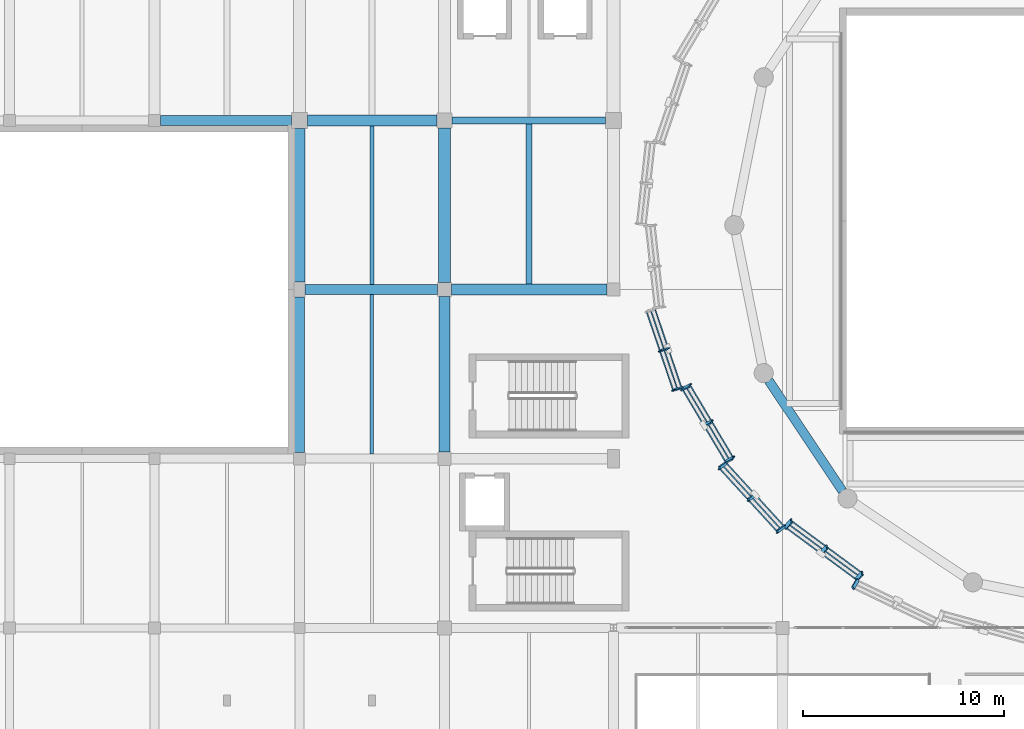
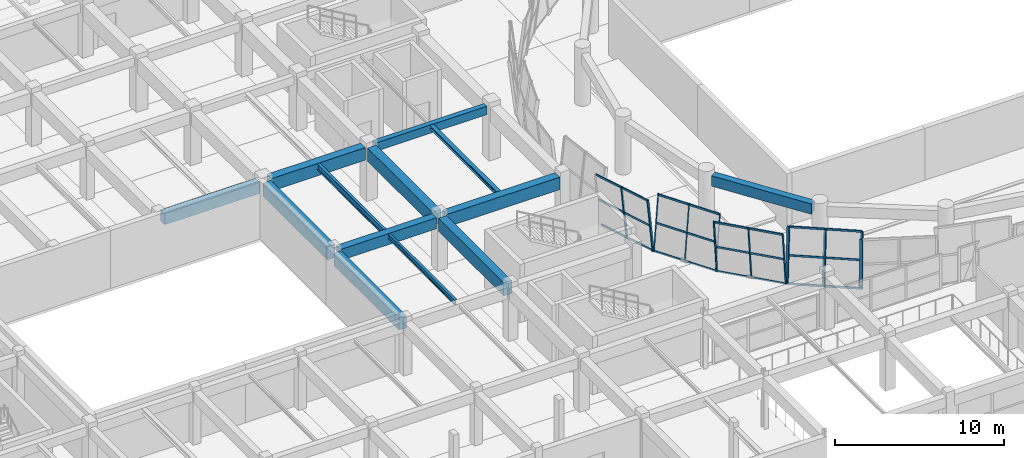
# One storey, part 14 of 71: 36 members, 13 beams, 5 elements without a shape of their own.
"""IFC4 building model written with IfcOpenShell, lengths in metres."""

from ifc_helpers import new_model, si_unit, direction, frame, origin, origin_2d, place, context, subcontext, project, spatial, rectangle, hollow_rectangle, i_section, extrude, material, material_profile, profile_set, type_object, element, aggregate, save


model = new_model("IFC4")

# Units and contexts
model_context = context("Model", 3, precision=1e-05, world=origin(), true_north=direction((0.0, 1.0)))
body_context = subcontext(model_context, "Body", "Model", "MODEL_VIEW")
ifc_project = project(units=[si_unit("LENGTHUNIT", "METRE"), si_unit("AREAUNIT", "SQUARE_METRE"), si_unit("VOLUMEUNIT", "CUBIC_METRE"), si_unit("PLANEANGLEUNIT", "RADIAN"), si_unit("MASSUNIT", "GRAM", prefix="KILO")], contexts=[model_context])

# Site, building, storey
site_placement = place(None, origin())
site = spatial("IfcSite", under=ifc_project, at=site_placement, CompositionType="ELEMENT")
building_placement = place(site_placement, origin())
building = spatial("IfcBuilding", under=site, at=building_placement, Name="Korsvaeld Concert Hall", CompositionType="ELEMENT")
storey_placement = place(building_placement, frame((0.0, 0.0, 4.800048828125)))
storey = spatial("IfcBuildingStorey", under=building, at=storey_placement, Name="L01", CompositionType="ELEMENT", Elevation=4.800048828125)

# Beams
ifc_material_1 = material(Name="Concrete C35/45", Category="concrete")
ifc_material_profile_1 = material_profile(ifc_material_1, rectangle(XDim=0.35009765625, YDim=0.60009765625, at=origin_2d()), Name="RC 350x600")
ifc_profile_set_1 = profile_set([ifc_material_profile_1], Name="Concrete C35/45")
beam_type_1 = type_object("IfcBeamType", Name="BM-RC-350x600", PredefinedType="T_BEAM", material=ifc_profile_set_1)
beam_1_placement = place(storey_placement, frame((50.77490234375, 68.39990234375, 3.5400390625), z_axis=(1.0, 0.0, 0.0), x_axis=(0.0, 1.0, 0.0)))
element("IfcBeam", 1, at=beam_1_placement, inside=storey, type_object=beam_type_1, Name="Primary girder 8-9/K L01", PredefinedType="T_BEAM", context=body_context, shape_type="SweptSolid", body=[
    extrude(rectangle(XDim=0.35009765625, YDim=0.60009765625, at=origin_2d()), origin(), (0.0, 0.0, 1.0), 7.625),
])
ifc_material_profile_2 = material_profile(ifc_material_1, rectangle(XDim=0.449951171875, YDim=0.75, at=origin_2d()), Name="RC 450x750")
ifc_profile_set_2 = profile_set([ifc_material_profile_2], Name="Concrete C35/45")
beam_type_2 = type_object("IfcBeamType", Name="BM-RC-450x750", PredefinedType="T_BEAM", material=ifc_profile_set_2)
beam_2_placement = place(storey_placement, frame((66.511474609375, 55.478271484375, 3.46484375), z_axis=(0.555588821765, -0.831457191399, 0.0), x_axis=(0.831457191399, 0.555588821765, 0.0)))
element("IfcBeam", 2, at=beam_2_placement, inside=storey, type_object=beam_type_2, Name="Drum ring floor girder L01 10", PredefinedType="T_BEAM", context=body_context, shape_type="SweptSolid", body=[
    extrude(rectangle(XDim=0.449951171875, YDim=0.75, at=origin_2d()), origin(), (0.0, 0.0, 1.0), 6.59130859375),
])
ifc_material_2 = material(Name="Concrete C40/50", Category="concrete")
ifc_material_profile_3 = material_profile(ifc_material_2, rectangle(XDim=0.5, YDim=0.800048828125, at=origin_2d()), Name="RC 500x800")
ifc_profile_set_3 = profile_set([ifc_material_profile_3], Name="Concrete C40/50")
beam_type_3 = type_object("IfcBeamType", Name="BM-RC-500x800", PredefinedType="T_BEAM", material=ifc_profile_set_3)
beam_3_placement = place(storey_placement, frame((43.47509765625, 60.0, 3.43994140625), z_axis=(1.0, 0.0, 0.0), x_axis=(0.0, 1.0, 0.0)))
element("IfcBeam", 3, at=beam_3_placement, inside=storey, type_object=beam_type_3, Name="Primary girder 7-8/J L01", PredefinedType="T_BEAM", context=body_context, shape_type="SweptSolid", body=[
    extrude(rectangle(XDim=0.5, YDim=0.800048828125, at=origin_2d()), origin(), (0.0, 0.0, 1.0), 6.574951171875),
])
beam_4_placement = place(storey_placement, frame((36.300048828125, 68.39990234375, 3.43994140625), z_axis=(1.0, 0.0, 0.0), x_axis=(0.0, 1.0, 0.0)))
element("IfcBeam", 4, at=beam_4_placement, inside=storey, type_object=beam_type_3, Name="Primary girder 6-7/K L01", PredefinedType="T_BEAM", context=body_context, shape_type="SweptSolid", body=[
    extrude(rectangle(XDim=0.5, YDim=0.800048828125, at=origin_2d()), origin(), (0.0, 0.0, 1.0), 6.5),
])
ifc_material_profile_4 = material_profile(ifc_material_2, rectangle(XDim=0.5, YDim=0.89990234375, at=origin_2d()), Name="RC 500x900")
ifc_profile_set_4 = profile_set([ifc_material_profile_4], Name="Concrete C40/50")
beam_type_4 = type_object("IfcBeamType", Name="BM-RC-500x900", PredefinedType="T_BEAM", material=ifc_profile_set_4)
beam_5_placement = place(storey_placement, frame((43.199951171875, 51.89990234375, 3.389892578125), z_axis=(0.0, 1.0, 0.0), x_axis=(-1.0, 0.0, 0.0)))
element("IfcBeam", 5, at=beam_5_placement, inside=storey, type_object=beam_type_4, Name="Primary girder 7/H-J L01", PredefinedType="T_BEAM", context=body_context, shape_type="SweptSolid", body=[
    extrude(rectangle(XDim=0.5, YDim=0.89990234375, at=origin_2d()), origin(), (0.0, 0.0, 1.0), 7.72509765625),
])
ifc_material_profile_5 = material_profile(ifc_material_2, rectangle(XDim=0.550048828125, YDim=0.89990234375, at=origin_2d()), Name="RC 550x900")
ifc_profile_set_5 = profile_set([ifc_material_profile_5], Name="Concrete C40/50")
beam_type_5 = type_object("IfcBeamType", Name="BM-RC-550x900", PredefinedType="T_BEAM", material=ifc_profile_set_5)
beam_6_placement = place(storey_placement, frame((50.75, 60.0, 3.389892578125), z_axis=(1.0, 0.0, 0.0), x_axis=(0.0, 1.0, 0.0)))
element("IfcBeam", 6, at=beam_6_placement, inside=storey, type_object=beam_type_5, Name="Primary girder 8-9/J L01", PredefinedType="T_BEAM", context=body_context, shape_type="SweptSolid", body=[
    extrude(rectangle(XDim=0.550048828125, YDim=0.89990234375, at=origin_2d()), origin(), (0.0, 0.0, 1.0), 7.72509765625),
])
beam_7_placement = place(storey_placement, frame((43.60009765625, 68.39990234375, 3.389892578125), z_axis=(1.0, 0.0, 0.0), x_axis=(0.0, 1.0, 0.0)))
element("IfcBeam", 7, at=beam_7_placement, inside=storey, type_object=beam_type_5, Name="Primary girder 7-8/K L01", PredefinedType="T_BEAM", context=body_context, shape_type="SweptSolid", body=[
    extrude(rectangle(XDim=0.550048828125, YDim=0.89990234375, at=origin_2d()), origin(), (0.0, 0.0, 1.0), 6.4248046875),
])
ifc_material_profile_6 = material_profile(ifc_material_2, rectangle(XDim=0.550048828125, YDim=0.949951171875, at=origin_2d()), Name="RC 550x950")
ifc_profile_set_6 = profile_set([ifc_material_profile_6], Name="Concrete C40/50")
beam_type_6 = type_object("IfcBeamType", Name="BM-RC-550x950", PredefinedType="T_BEAM", material=ifc_profile_set_6)
beam_8_placement = place(storey_placement, frame((43.199951171875, 60.375, 3.364990234375), z_axis=(0.0, 1.0, 0.0), x_axis=(-1.0, 0.0, 0.0)))
element("IfcBeam", 8, at=beam_8_placement, inside=storey, type_object=beam_type_6, Name="Primary girder 7/J-K L01", PredefinedType="T_BEAM", context=body_context, shape_type="SweptSolid", body=[
    extrude(rectangle(XDim=0.550048828125, YDim=0.949951171875, at=origin_2d()), origin(), (0.0, 0.0, 1.0), 7.625),
])
beam_9_placement = place(storey_placement, frame((50.39990234375, 51.925048828125, 3.364990234375), z_axis=(0.0, 1.0, 0.0), x_axis=(-1.0, 0.0, 0.0)))
element("IfcBeam", 9, at=beam_9_placement, inside=storey, type_object=beam_type_6, Name="Primary girder 8/H-J L01", PredefinedType="T_BEAM", context=body_context, shape_type="SweptSolid", body=[
    extrude(rectangle(XDim=0.550048828125, YDim=0.949951171875, at=origin_2d()), origin(), (0.0, 0.0, 1.0), 7.724853515625),
])
ifc_material_profile_7 = material_profile(ifc_material_2, rectangle(XDim=0.60009765625, YDim=0.949951171875, at=origin_2d()), Name="RC 600x950")
ifc_profile_set_7 = profile_set([ifc_material_profile_7], Name="Concrete C40/50")
beam_type_7 = type_object("IfcBeamType", Name="BM-RC-600x950", PredefinedType="T_BEAM", material=ifc_profile_set_7)
beam_10_placement = place(storey_placement, frame((50.39990234375, 60.35009765625, 3.364990234375), z_axis=(0.0, 1.0, 0.0), x_axis=(-1.0, 0.0, 0.0)))
element("IfcBeam", 10, at=beam_10_placement, inside=storey, type_object=beam_type_7, Name="Primary girder 8/J-K L01", PredefinedType="T_BEAM", context=body_context, shape_type="SweptSolid", body=[
    extrude(rectangle(XDim=0.60009765625, YDim=0.949951171875, at=origin_2d()), origin(), (0.0, 0.0, 1.0), 7.6748046875),
])
ifc_material_3 = material(Name="Steel S355J2", Category="steel")
ifc_material_profile_8 = material_profile(ifc_material_3, i_section(OverallWidth=0.280029296875, OverallDepth=0.27001953125, WebThickness=0.008056640625, FlangeThickness=0.012939453125, FilletRadius=0.02392578125, at=origin_2d()), Name="HEA 280")
ifc_profile_set_8 = profile_set([ifc_material_profile_8], Name="Steel S355J2")
beam_type_8 = type_object("IfcBeamType", Name="BM-STL-HEA280", PredefinedType="BEAM", material=ifc_profile_set_8)
beam_11_placement = place(storey_placement, frame((54.60009765625, 60.27490234375, 3.704833984375), z_axis=(0.0, 1.0, 0.0), x_axis=(-1.0, 0.0, 0.0)))
element("IfcBeam", 11, at=beam_11_placement, inside=storey, type_object=beam_type_8, Name="Secondary steel floor beam 8-9/J L01", PredefinedType="BEAM", context=body_context, shape_type="SweptSolid", body=[
    extrude(i_section(OverallWidth=0.280029296875, OverallDepth=0.27001953125, WebThickness=0.008056640625, FlangeThickness=0.012939453125, FilletRadius=0.02392578125, at=origin_2d()), origin(), (0.0, 0.0, 1.0), 7.9501953125),
])
ifc_material_profile_9 = material_profile(ifc_material_3, i_section(OverallWidth=0.169921875, OverallDepth=0.360107421875, WebThickness=0.008056640625, FlangeThickness=0.0126953125, FilletRadius=0.01806640625, at=origin_2d()), Name="IPE 360")
ifc_profile_set_9 = profile_set([ifc_material_profile_9], Name="Steel S355J2")
beam_type_9 = type_object("IfcBeamType", Name="BM-STL-IPE360", PredefinedType="BEAM", material=ifc_profile_set_9)
beam_12_placement = place(storey_placement, frame((46.800048828125, 51.824951171875, 3.659912109375), z_axis=(0.0, 1.0, 0.0), x_axis=(-1.0, 0.0, 0.0)))
element("IfcBeam", 12, at=beam_12_placement, inside=storey, type_object=beam_type_9, Name="Secondary steel floor beam 7-8/H L01", PredefinedType="BEAM", context=body_context, shape_type="SweptSolid", body=[
    extrude(i_section(OverallWidth=0.169921875, OverallDepth=0.360107421875, WebThickness=0.008056640625, FlangeThickness=0.0126953125, FilletRadius=0.01806640625, at=origin_2d()), origin(), (0.0, 0.0, 1.0), 7.925048828125),
])
ifc_material_profile_10 = material_profile(ifc_material_3, i_section(OverallWidth=0.18994140625, OverallDepth=0.449951171875, WebThickness=0.009521484375, FlangeThickness=0.0146484375, FilletRadius=0.02099609375, at=origin_2d()), Name="IPE 450")
ifc_profile_set_10 = profile_set([ifc_material_profile_10], Name="Steel S355J2")
beam_type_10 = type_object("IfcBeamType", Name="BM-STL-IPE450", PredefinedType="BEAM", material=ifc_profile_set_10)
beam_13_placement = place(storey_placement, frame((46.800048828125, 60.25, 3.614990234375), z_axis=(0.0, 1.0, 0.0), x_axis=(-1.0, 0.0, 0.0)))
element("IfcBeam", 13, at=beam_13_placement, inside=storey, type_object=beam_type_10, Name="Secondary steel floor beam 7-8/J L01", PredefinedType="BEAM", context=body_context, shape_type="SweptSolid", body=[
    extrude(i_section(OverallWidth=0.18994140625, OverallDepth=0.449951171875, WebThickness=0.009521484375, FlangeThickness=0.0146484375, FilletRadius=0.02099609375, at=origin_2d()), origin(), (0.0, 0.0, 1.0), 7.875),
])

# Curtain wall, members
ifc_material_4 = material(Name="Anodised bronze and ceramic-fritted safety glass", Category="glass")
curtain_wall_type_1 = type_object("IfcCurtainWallType", Name="CW-TYPE-02", PredefinedType="USERDEFINED", material=ifc_material_4)
curtain_wall_1_placement = place(storey_placement, origin())
curtain_wall_1 = element("IfcCurtainWall", 14, at=curtain_wall_1_placement, inside=storey, type_object=curtain_wall_type_1, Name="Crystal curtain-wall facet L01 F18", ObjectType="CURTAIN WALL", PredefinedType="USERDEFINED")
ifc_material_5 = material(Name="Anodised architectural bronze aluminium", Category="aluminium")
ifc_material_profile_11 = material_profile(ifc_material_5, hollow_rectangle(XDim=0.074951171875, YDim=0.179931640625, WallThickness=0.0048828125, at=origin_2d()), Name="CWM 180x75x5")
ifc_profile_set_11 = profile_set([ifc_material_profile_11], Name="Anodised architectural bronze aluminium")
member_type_1 = type_object("IfcMemberType", Name="CWM-BRONZE-180x75", PredefinedType="MULLION", material=ifc_profile_set_11)
member_1_placement = place(storey_placement, frame((61.52490234375, 57.07568359375, 0.0), z_axis=(-0.109222864708, -0.029759635719, 0.993571703455), x_axis=(0.555751470455, -0.830559253027, 0.036216436851)))
member_1 = element("IfcMember", 15, at=member_1_placement, type_object=member_type_1, Name="CW-CRYS-L01-F18 crystal mullion 2", PredefinedType="MULLION", context=body_context, shape_type="SweptSolid", body=[
    extrude(hollow_rectangle(XDim=0.074951171875, YDim=0.179931640625, WallThickness=0.0048828125, at=origin_2d()), origin(), (0.0, 0.0, 1.0), 3.905029296875),
])
member_2_placement = place(storey_placement, frame((62.184326171875, 55.12255859375, 0.0), z_axis=(-0.109222864708, -0.029759635719, 0.993571703455), x_axis=(0.555751470455, -0.830559253027, 0.036216436851)))
member_2 = element("IfcMember", 16, at=member_2_placement, type_object=member_type_1, Name="CW-CRYS-L01-F18 crystal mullion 3", PredefinedType="MULLION", context=body_context, shape_type="SweptSolid", body=[
    extrude(hollow_rectangle(XDim=0.074951171875, YDim=0.179931640625, WallThickness=0.0048828125, at=origin_2d()), origin(), (0.0, 0.0, 1.0), 3.905029296875),
])

curtain_wall_type_2 = type_object("IfcCurtainWallType", Name="CW-TYPE-04", PredefinedType="USERDEFINED", material=ifc_material_4)
curtain_wall_2_placement = place(storey_placement, origin())
curtain_wall_2 = element("IfcCurtainWall", 17, at=curtain_wall_2_placement, inside=storey, type_object=curtain_wall_type_2, Name="Crystal curtain-wall facet L01 F20", ObjectType="CURTAIN WALL", PredefinedType="USERDEFINED")
member_3_placement = place(storey_placement, frame((64.402587890625, 51.394287109375, 0.0), z_axis=(-0.091092013968, -0.06720927592, 0.993571918998), x_axis=(0.977585029152, -0.196207994795, 0.076354001577)))
member_3 = element("IfcMember", 18, at=member_3_placement, type_object=member_type_1, Name="CW-CRYS-L01-F20 crystal mullion 1", PredefinedType="MULLION", context=body_context, shape_type="SweptSolid", body=[
    extrude(hollow_rectangle(XDim=0.074951171875, YDim=0.179931640625, WallThickness=0.0048828125, at=origin_2d()), origin(), (0.0, 0.0, 1.0), 3.905029296875),
])
member_4_placement = place(storey_placement, frame((65.8447265625, 49.815673828125, 0.0), z_axis=(-0.091092013968, -0.06720927592, 0.993571918998), x_axis=(0.977585029152, -0.196207994795, 0.076354001577)))
member_4 = element("IfcMember", 19, at=member_4_placement, type_object=member_type_1, Name="CW-CRYS-L01-F20 crystal mullion 2", PredefinedType="MULLION", context=body_context, shape_type="SweptSolid", body=[
    extrude(hollow_rectangle(XDim=0.074951171875, YDim=0.179931640625, WallThickness=0.0048828125, at=origin_2d()), origin(), (0.0, 0.0, 1.0), 3.905029296875),
])
member_5_placement = place(storey_placement, frame((67.287109375, 48.237060546875, 0.0), z_axis=(-0.091154014917, -0.067208893029, 0.993566258617), x_axis=(0.977517596414, -0.196530654202, 0.076387503291)))
member_5 = element("IfcMember", 20, at=member_5_placement, type_object=member_type_1, Name="CW-CRYS-L01-F20 crystal mullion 3", PredefinedType="MULLION", context=body_context, shape_type="SweptSolid", body=[
    extrude(hollow_rectangle(XDim=0.074951171875, YDim=0.179931640625, WallThickness=0.0048828125, at=origin_2d()), origin(), (0.0, 0.0, 1.0), 3.905029296875),
])

# Curtain wall, member
curtain_wall_type_3 = type_object("IfcCurtainWallType", Name="CW-TYPE-06", PredefinedType="USERDEFINED", material=ifc_material_4)
curtain_wall_3_placement = place(storey_placement, origin())
curtain_wall_3 = element("IfcCurtainWall", 21, at=curtain_wall_3_placement, inside=storey, type_object=curtain_wall_type_3, Name="Crystal curtain-wall facet L01 F22", ObjectType="CURTAIN WALL", PredefinedType="USERDEFINED")
member_6_placement = place(storey_placement, frame((70.92236328125, 45.556640625, 0.0), z_axis=(-0.057893742062, -0.097281493141, 0.993571651026), x_axis=(0.829999138773, 0.548349174532, 0.102052008437)))
member_6 = element("IfcMember", 22, at=member_6_placement, type_object=member_type_1, Name="CW-CRYS-L01-F22 crystal mullion 1", PredefinedType="MULLION", context=body_context, shape_type="SweptSolid", body=[
    extrude(hollow_rectangle(XDim=0.074951171875, YDim=0.179931640625, WallThickness=0.0048828125, at=origin_2d()), origin(), (0.0, 0.0, 1.0), 3.905029296875),
])
aggregate(curtain_wall_3, [member_6])

# Curtain wall, members
curtain_wall_type_4 = type_object("IfcCurtainWallType", Name="CW-TYPE-03", PredefinedType="USERDEFINED", material=ifc_material_4)
curtain_wall_4_placement = place(storey_placement, origin())
curtain_wall_4 = element("IfcCurtainWall", 23, at=curtain_wall_4_placement, inside=storey, type_object=curtain_wall_type_4, Name="Crystal curtain-wall facet L01 F19", ObjectType="CURTAIN WALL", PredefinedType="USERDEFINED")
ifc_material_profile_12 = material_profile(ifc_material_5, hollow_rectangle(XDim=0.074951171875, YDim=0.219970703125, WallThickness=0.006103515625, at=origin_2d()), Name="CWM 220x75x6")
ifc_profile_set_12 = profile_set([ifc_material_profile_12], Name="Anodised architectural bronze aluminium")
member_type_2 = type_object("IfcMemberType", Name="CWM-BRONZE-220x75", PredefinedType="MULLION", material=ifc_profile_set_12)
member_7_placement = place(storey_placement, frame((62.215576171875, 55.054931640625, 0.0), z_axis=(0.102033137454, 0.049015918973, 0.993572684079), x_axis=(-0.830085566012, 0.554623769939, 0.057882872395)))
member_7 = element("IfcMember", 24, at=member_7_placement, type_object=member_type_2, Name="CW-CRYS-L01-F19 crystal mullion 1", PredefinedType="MULLION", context=body_context, shape_type="SweptSolid", body=[
    extrude(hollow_rectangle(XDim=0.074951171875, YDim=0.219970703125, WallThickness=0.006103515625, at=origin_2d()), origin(), (0.0, 0.0, 1.0), 3.905029296875),
])
member_8_placement = place(storey_placement, frame((63.286865234375, 53.25439453125, 0.0), z_axis=(0.102033137454, 0.049015918973, 0.993572684079), x_axis=(-0.830085566012, 0.554623769939, 0.057882872395)))
member_8 = element("IfcMember", 25, at=member_8_placement, type_object=member_type_2, Name="CW-CRYS-L01-F19 crystal mullion 2", PredefinedType="MULLION", context=body_context, shape_type="SweptSolid", body=[
    extrude(hollow_rectangle(XDim=0.074951171875, YDim=0.219970703125, WallThickness=0.006103515625, at=origin_2d()), origin(), (0.0, 0.0, 1.0), 3.905029296875),
])
member_9_placement = place(storey_placement, frame((64.358154296875, 51.4541015625, 0.0), z_axis=(0.102033137454, 0.049015918973, 0.993572684079), x_axis=(-0.830085566012, 0.554623769939, 0.057882872395)))
member_9 = element("IfcMember", 26, at=member_9_placement, type_object=member_type_2, Name="CW-CRYS-L01-F19 crystal mullion 3", PredefinedType="MULLION", context=body_context, shape_type="SweptSolid", body=[
    extrude(hollow_rectangle(XDim=0.074951171875, YDim=0.219970703125, WallThickness=0.006103515625, at=origin_2d()), origin(), (0.0, 0.0, 1.0), 3.905029296875),
])

curtain_wall_type_5 = type_object("IfcCurtainWallType", Name="CW-TYPE-05", PredefinedType="USERDEFINED", material=ifc_material_4)
curtain_wall_5_placement = place(storey_placement, origin())
curtain_wall_5 = element("IfcCurtainWall", 27, at=curtain_wall_5_placement, inside=storey, type_object=curtain_wall_type_5, Name="Crystal curtain-wall facet L01 F21", ObjectType="CURTAIN WALL", PredefinedType="USERDEFINED")
member_10_placement = place(storey_placement, frame((67.342529296875, 48.18701171875, 0.0), z_axis=(0.076337242942, 0.083589593623, 0.993572043275), x_axis=(-0.97747454033, -0.190371504957, 0.091116480989)))
member_10 = element("IfcMember", 28, at=member_10_placement, type_object=member_type_2, Name="CW-CRYS-L01-F21 crystal mullion 1", PredefinedType="MULLION", context=body_context, shape_type="SweptSolid", body=[
    extrude(hollow_rectangle(XDim=0.074951171875, YDim=0.219970703125, WallThickness=0.006103515625, at=origin_2d()), origin(), (0.0, 0.0, 1.0), 3.905029296875),
])
member_11_placement = place(storey_placement, frame((69.100341796875, 46.89111328125, 0.0), z_axis=(0.076399398433, 0.083589194521, 0.993567299421), x_axis=(-0.977549491387, -0.189970185789, 0.091149988477)))
member_11 = element("IfcMember", 29, at=member_11_placement, type_object=member_type_2, Name="CW-CRYS-L01-F21 crystal mullion 2", PredefinedType="MULLION", context=body_context, shape_type="SweptSolid", body=[
    extrude(hollow_rectangle(XDim=0.074951171875, YDim=0.219970703125, WallThickness=0.006103515625, at=origin_2d()), origin(), (0.0, 0.0, 1.0), 3.905029296875),
])
member_12_placement = place(storey_placement, frame((70.8583984375, 45.594970703125, 0.0), z_axis=(0.076337242942, 0.083589593623, 0.993572043275), x_axis=(-0.97747454033, -0.190371504957, 0.091116480989)))
member_12 = element("IfcMember", 30, at=member_12_placement, type_object=member_type_2, Name="CW-CRYS-L01-F21 crystal mullion 3", PredefinedType="MULLION", context=body_context, shape_type="SweptSolid", body=[
    extrude(hollow_rectangle(XDim=0.074951171875, YDim=0.219970703125, WallThickness=0.006103515625, at=origin_2d()), origin(), (0.0, 0.0, 1.0), 3.905029296875),
])

# Member
ifc_material_profile_13 = material_profile(ifc_material_5, hollow_rectangle(XDim=0.06005859375, YDim=0.139892578125, WallThickness=0.00390625, at=origin_2d()), Name="CWT 140x60x4")
ifc_profile_set_13 = profile_set([ifc_material_profile_13], Name="Anodised architectural bronze aluminium")
member_type_3 = type_object("IfcMemberType", Name="CWT-BRONZE-140x60", PredefinedType="USERDEFINED", material=ifc_profile_set_13)
member_13_placement = place(storey_placement, frame((60.874267578125, 58.9921875, 0.030029296875), z_axis=(0.319949676143, -0.947434538497, 0.0), x_axis=(0.947434538497, 0.319949676143, 0.0)))
member_13 = element("IfcMember", 31, at=member_13_placement, type_object=member_type_3, Name="CW-CRYS-L01-F18 crystal transom 1.1", ObjectType="TRANSOM", PredefinedType="USERDEFINED", context=body_context, shape_type="SweptSolid", body=[
    extrude(hollow_rectangle(XDim=0.06005859375, YDim=0.139892578125, WallThickness=0.00390625, at=origin_2d()), origin(), (0.0, 0.0, 1.0), 1.986328125),
])

member_14_placement = place(storey_placement, frame((60.664306640625, 58.934814453125, 1.93994140625), z_axis=(0.319949676143, -0.947434538497, 0.0), x_axis=(0.947434538497, 0.319949676143, 0.0)))
member_14 = element("IfcMember", 32, at=member_14_placement, type_object=member_type_3, Name="CW-CRYS-L01-F18 crystal transom 1.2", ObjectType="TRANSOM", PredefinedType="USERDEFINED", context=body_context, shape_type="SweptSolid", body=[
    extrude(hollow_rectangle(XDim=0.06005859375, YDim=0.139892578125, WallThickness=0.00390625, at=origin_2d()), origin(), (0.0, 0.0, 1.0), 1.986328125),
])

member_15_placement = place(storey_placement, frame((60.454345703125, 58.877685546875, 3.849853515625), z_axis=(0.319949676143, -0.947434538497, 0.0), x_axis=(0.947434538497, 0.319949676143, 0.0)))
member_15 = element("IfcMember", 33, at=member_15_placement, type_object=member_type_3, Name="CW-CRYS-L01-F18 crystal transom 1.3", ObjectType="TRANSOM", PredefinedType="USERDEFINED", context=body_context, shape_type="SweptSolid", body=[
    extrude(hollow_rectangle(XDim=0.06005859375, YDim=0.139892578125, WallThickness=0.00390625, at=origin_2d()), origin(), (0.0, 0.0, 1.0), 1.986328125),
])

member_16_placement = place(storey_placement, frame((61.53369140625, 57.0390625, 0.030029296875), z_axis=(0.319949676143, -0.947434538497, 0.0), x_axis=(0.947434538497, 0.319949676143, 0.0)))
member_16 = element("IfcMember", 34, at=member_16_placement, type_object=member_type_3, Name="CW-CRYS-L01-F18 crystal transom 2.1", ObjectType="TRANSOM", PredefinedType="USERDEFINED", context=body_context, shape_type="SweptSolid", body=[
    extrude(hollow_rectangle(XDim=0.06005859375, YDim=0.139892578125, WallThickness=0.00390625, at=origin_2d()), origin(), (0.0, 0.0, 1.0), 1.986328125),
])

member_17_placement = place(storey_placement, frame((61.32373046875, 56.98193359375, 1.93994140625), z_axis=(0.319949676143, -0.947434538497, 0.0), x_axis=(0.947434538497, 0.319949676143, 0.0)))
member_17 = element("IfcMember", 35, at=member_17_placement, type_object=member_type_3, Name="CW-CRYS-L01-F18 crystal transom 2.2", ObjectType="TRANSOM", PredefinedType="USERDEFINED", context=body_context, shape_type="SweptSolid", body=[
    extrude(hollow_rectangle(XDim=0.06005859375, YDim=0.139892578125, WallThickness=0.00390625, at=origin_2d()), origin(), (0.0, 0.0, 1.0), 1.986328125),
])

member_18_placement = place(storey_placement, frame((61.11376953125, 56.9248046875, 3.849853515625), z_axis=(0.319912420616, -0.947447118912, 0.0), x_axis=(0.947447118912, 0.319912420616, 0.0)))
member_18 = element("IfcMember", 36, at=member_18_placement, type_object=member_type_3, Name="CW-CRYS-L01-F18 crystal transom 2.3", ObjectType="TRANSOM", PredefinedType="USERDEFINED", context=body_context, shape_type="SweptSolid", body=[
    extrude(hollow_rectangle(XDim=0.06005859375, YDim=0.139892578125, WallThickness=0.00390625, at=origin_2d()), origin(), (0.0, 0.0, 1.0), 1.986572265625),
])

aggregate(curtain_wall_1, [member_1, member_2, member_13, member_14, member_15, member_16, member_17, member_18])

member_19_placement = place(storey_placement, frame((62.23779296875, 55.024169921875, 0.030029296875), z_axis=(0.511381861684, -0.859353589357, 0.0), x_axis=(0.859353589357, 0.511381861684, 0.0)))
member_19 = element("IfcMember", 37, at=member_19_placement, type_object=member_type_3, Name="CW-CRYS-L01-F19 crystal transom 1.1", ObjectType="TRANSOM", PredefinedType="USERDEFINED", context=body_context, shape_type="SweptSolid", body=[
    extrude(hollow_rectangle(XDim=0.06005859375, YDim=0.139892578125, WallThickness=0.00390625, at=origin_2d()), origin(), (0.0, 0.0, 1.0), 2.02001953125),
])

member_20_placement = place(storey_placement, frame((62.43408203125, 55.118408203125, 1.93994140625), z_axis=(0.511328750939, -0.859385192136, 0.0), x_axis=(0.859385192136, 0.511328750939, 0.0)))
member_20 = element("IfcMember", 38, at=member_20_placement, type_object=member_type_3, Name="CW-CRYS-L01-F19 crystal transom 1.2", ObjectType="TRANSOM", PredefinedType="USERDEFINED", context=body_context, shape_type="SweptSolid", body=[
    extrude(hollow_rectangle(XDim=0.06005859375, YDim=0.139892578125, WallThickness=0.00390625, at=origin_2d()), origin(), (0.0, 0.0, 1.0), 2.020263671875),
])

member_21_placement = place(storey_placement, frame((62.630126953125, 55.21240234375, 3.849853515625), z_axis=(0.511381861684, -0.859353589357, 0.0), x_axis=(0.859353589357, 0.511381861684, 0.0)))
member_21 = element("IfcMember", 39, at=member_21_placement, type_object=member_type_3, Name="CW-CRYS-L01-F19 crystal transom 1.3", ObjectType="TRANSOM", PredefinedType="USERDEFINED", context=body_context, shape_type="SweptSolid", body=[
    extrude(hollow_rectangle(XDim=0.06005859375, YDim=0.139892578125, WallThickness=0.00390625, at=origin_2d()), origin(), (0.0, 0.0, 1.0), 2.02001953125),
])

member_22_placement = place(storey_placement, frame((63.30908203125, 53.2236328125, 0.030029296875), z_axis=(0.511381861684, -0.859353589357, 0.0), x_axis=(0.859353589357, 0.511381861684, 0.0)))
member_22 = element("IfcMember", 40, at=member_22_placement, type_object=member_type_3, Name="CW-CRYS-L01-F19 crystal transom 2.1", ObjectType="TRANSOM", PredefinedType="USERDEFINED", context=body_context, shape_type="SweptSolid", body=[
    extrude(hollow_rectangle(XDim=0.06005859375, YDim=0.139892578125, WallThickness=0.00390625, at=origin_2d()), origin(), (0.0, 0.0, 1.0), 2.02001953125),
])

member_23_placement = place(storey_placement, frame((63.50537109375, 53.31787109375, 1.93994140625), z_axis=(0.511292595627, -0.859406703288, 0.0), x_axis=(0.859406703288, 0.511292595627, 0.0)))
member_23 = element("IfcMember", 41, at=member_23_placement, type_object=member_type_3, Name="CW-CRYS-L01-F19 crystal transom 2.2", ObjectType="TRANSOM", PredefinedType="USERDEFINED", context=body_context, shape_type="SweptSolid", body=[
    extrude(hollow_rectangle(XDim=0.06005859375, YDim=0.139892578125, WallThickness=0.00390625, at=origin_2d()), origin(), (0.0, 0.0, 1.0), 2.019775390625),
])

member_24_placement = place(storey_placement, frame((63.701416015625, 53.412109375, 3.849853515625), z_axis=(0.511381861684, -0.859353589357, 0.0), x_axis=(0.859353589357, 0.511381861684, 0.0)))
member_24 = element("IfcMember", 42, at=member_24_placement, type_object=member_type_3, Name="CW-CRYS-L01-F19 crystal transom 2.3", ObjectType="TRANSOM", PredefinedType="USERDEFINED", context=body_context, shape_type="SweptSolid", body=[
    extrude(hollow_rectangle(XDim=0.06005859375, YDim=0.139892578125, WallThickness=0.00390625, at=origin_2d()), origin(), (0.0, 0.0, 1.0), 2.02001953125),
])

aggregate(curtain_wall_4, [member_7, member_8, member_9, member_19, member_20, member_21, member_22, member_23, member_24])

member_25_placement = place(storey_placement, frame((64.425048828125, 51.364501953125, 0.030029296875), z_axis=(0.674496604142, -0.738277949692, 0.0), x_axis=(0.738277949692, 0.674496604142, 0.0)))
member_25 = element("IfcMember", 43, at=member_25_placement, type_object=member_type_3, Name="CW-CRYS-L01-F20 crystal transom 1.1", ObjectType="TRANSOM", PredefinedType="USERDEFINED", context=body_context, shape_type="SweptSolid", body=[
    extrude(hollow_rectangle(XDim=0.06005859375, YDim=0.139892578125, WallThickness=0.00390625, at=origin_2d()), origin(), (0.0, 0.0, 1.0), 2.063232421875),
])

member_26_placement = place(storey_placement, frame((64.25, 51.2353515625, 1.93994140625), z_axis=(0.674496604142, -0.738277949692, 0.0), x_axis=(0.738277949692, 0.674496604142, 0.0)))
member_26 = element("IfcMember", 44, at=member_26_placement, type_object=member_type_3, Name="CW-CRYS-L01-F20 crystal transom 1.2", ObjectType="TRANSOM", PredefinedType="USERDEFINED", context=body_context, shape_type="SweptSolid", body=[
    extrude(hollow_rectangle(XDim=0.06005859375, YDim=0.139892578125, WallThickness=0.00390625, at=origin_2d()), origin(), (0.0, 0.0, 1.0), 2.063232421875),
])

member_27_placement = place(storey_placement, frame((64.07470703125, 51.106201171875, 3.849853515625), z_axis=(0.674496604142, -0.738277949692, 0.0), x_axis=(0.738277949692, 0.674496604142, 0.0)))
member_27 = element("IfcMember", 45, at=member_27_placement, type_object=member_type_3, Name="CW-CRYS-L01-F20 crystal transom 1.3", ObjectType="TRANSOM", PredefinedType="USERDEFINED", context=body_context, shape_type="SweptSolid", body=[
    extrude(hollow_rectangle(XDim=0.06005859375, YDim=0.139892578125, WallThickness=0.00390625, at=origin_2d()), origin(), (0.0, 0.0, 1.0), 2.063232421875),
])

member_28_placement = place(storey_placement, frame((65.867431640625, 49.785888671875, 0.030029296875), z_axis=(0.674496604142, -0.738277949692, 0.0), x_axis=(0.738277949692, 0.674496604142, 0.0)))
member_28 = element("IfcMember", 46, at=member_28_placement, type_object=member_type_3, Name="CW-CRYS-L01-F20 crystal transom 2.1", ObjectType="TRANSOM", PredefinedType="USERDEFINED", context=body_context, shape_type="SweptSolid", body=[
    extrude(hollow_rectangle(XDim=0.06005859375, YDim=0.139892578125, WallThickness=0.00390625, at=origin_2d()), origin(), (0.0, 0.0, 1.0), 2.063232421875),
])

member_29_placement = place(storey_placement, frame((65.692138671875, 49.65673828125, 1.93994140625), z_axis=(0.674496604142, -0.738277949692, 0.0), x_axis=(0.738277949692, 0.674496604142, 0.0)))
member_29 = element("IfcMember", 47, at=member_29_placement, type_object=member_type_3, Name="CW-CRYS-L01-F20 crystal transom 2.2", ObjectType="TRANSOM", PredefinedType="USERDEFINED", context=body_context, shape_type="SweptSolid", body=[
    extrude(hollow_rectangle(XDim=0.06005859375, YDim=0.139892578125, WallThickness=0.00390625, at=origin_2d()), origin(), (0.0, 0.0, 1.0), 2.063232421875),
])

member_30_placement = place(storey_placement, frame((65.51708984375, 49.527587890625, 3.849853515625), z_axis=(0.674496604142, -0.738277949692, 0.0), x_axis=(0.738277949692, 0.674496604142, 0.0)))
member_30 = element("IfcMember", 48, at=member_30_placement, type_object=member_type_3, Name="CW-CRYS-L01-F20 crystal transom 2.3", ObjectType="TRANSOM", PredefinedType="USERDEFINED", context=body_context, shape_type="SweptSolid", body=[
    extrude(hollow_rectangle(XDim=0.06005859375, YDim=0.139892578125, WallThickness=0.00390625, at=origin_2d()), origin(), (0.0, 0.0, 1.0), 2.063232421875),
])

aggregate(curtain_wall_2, [member_3, member_4, member_5, member_25, member_26, member_27, member_28, member_29, member_30])

member_31_placement = place(storey_placement, frame((67.375, 48.167236328125, 0.030029296875), z_axis=(0.804904507896, -0.593404358906, 0.0), x_axis=(0.593404358906, 0.804904507896, 0.0)))
member_31 = element("IfcMember", 49, at=member_31_placement, type_object=member_type_3, Name="CW-CRYS-L01-F21 crystal transom 1.1", ObjectType="TRANSOM", PredefinedType="USERDEFINED", context=body_context, shape_type="SweptSolid", body=[
    extrude(hollow_rectangle(XDim=0.06005859375, YDim=0.139892578125, WallThickness=0.00390625, at=origin_2d()), origin(), (0.0, 0.0, 1.0), 2.10888671875),
])

member_32_placement = place(storey_placement, frame((67.521728515625, 48.327880859375, 1.93994140625), z_axis=(0.804904507896, -0.593404358906, 0.0), x_axis=(0.593404358906, 0.804904507896, 0.0)))
member_32 = element("IfcMember", 50, at=member_32_placement, type_object=member_type_3, Name="CW-CRYS-L01-F21 crystal transom 1.2", ObjectType="TRANSOM", PredefinedType="USERDEFINED", context=body_context, shape_type="SweptSolid", body=[
    extrude(hollow_rectangle(XDim=0.06005859375, YDim=0.139892578125, WallThickness=0.00390625, at=origin_2d()), origin(), (0.0, 0.0, 1.0), 2.10888671875),
])

member_33_placement = place(storey_placement, frame((67.66845703125, 48.48876953125, 3.849853515625), z_axis=(0.804849215574, -0.593479351107, 0.0), x_axis=(0.593479351107, 0.804849215574, 0.0)))
member_33 = element("IfcMember", 51, at=member_33_placement, type_object=member_type_3, Name="CW-CRYS-L01-F21 crystal transom 1.3", ObjectType="TRANSOM", PredefinedType="USERDEFINED", context=body_context, shape_type="SweptSolid", body=[
    extrude(hollow_rectangle(XDim=0.06005859375, YDim=0.139892578125, WallThickness=0.00390625, at=origin_2d()), origin(), (0.0, 0.0, 1.0), 2.109130859375),
])

member_34_placement = place(storey_placement, frame((69.1328125, 46.871337890625, 0.030029296875), z_axis=(0.804904507896, -0.593404358906, 0.0), x_axis=(0.593404358906, 0.804904507896, 0.0)))
member_34 = element("IfcMember", 52, at=member_34_placement, type_object=member_type_3, Name="CW-CRYS-L01-F21 crystal transom 2.1", ObjectType="TRANSOM", PredefinedType="USERDEFINED", context=body_context, shape_type="SweptSolid", body=[
    extrude(hollow_rectangle(XDim=0.06005859375, YDim=0.139892578125, WallThickness=0.00390625, at=origin_2d()), origin(), (0.0, 0.0, 1.0), 2.10888671875),
])

member_35_placement = place(storey_placement, frame((69.27978515625, 47.031982421875, 1.93994140625), z_axis=(0.804904507896, -0.593404358906, 0.0), x_axis=(0.593404358906, 0.804904507896, 0.0)))
member_35 = element("IfcMember", 53, at=member_35_placement, type_object=member_type_3, Name="CW-CRYS-L01-F21 crystal transom 2.2", ObjectType="TRANSOM", PredefinedType="USERDEFINED", context=body_context, shape_type="SweptSolid", body=[
    extrude(hollow_rectangle(XDim=0.06005859375, YDim=0.139892578125, WallThickness=0.00390625, at=origin_2d()), origin(), (0.0, 0.0, 1.0), 2.10888671875),
])

member_36_placement = place(storey_placement, frame((69.426513671875, 47.192626953125, 3.849853515625), z_axis=(0.804904507896, -0.593404358906, 0.0), x_axis=(0.593404358906, 0.804904507896, 0.0)))
member_36 = element("IfcMember", 54, at=member_36_placement, type_object=member_type_3, Name="CW-CRYS-L01-F21 crystal transom 2.3", ObjectType="TRANSOM", PredefinedType="USERDEFINED", context=body_context, shape_type="SweptSolid", body=[
    extrude(hollow_rectangle(XDim=0.06005859375, YDim=0.139892578125, WallThickness=0.00390625, at=origin_2d()), origin(), (0.0, 0.0, 1.0), 2.10888671875),
])

aggregate(curtain_wall_5, [member_10, member_11, member_12, member_31, member_32, member_33, member_34, member_35, member_36])

save(model, "model.ifc")
